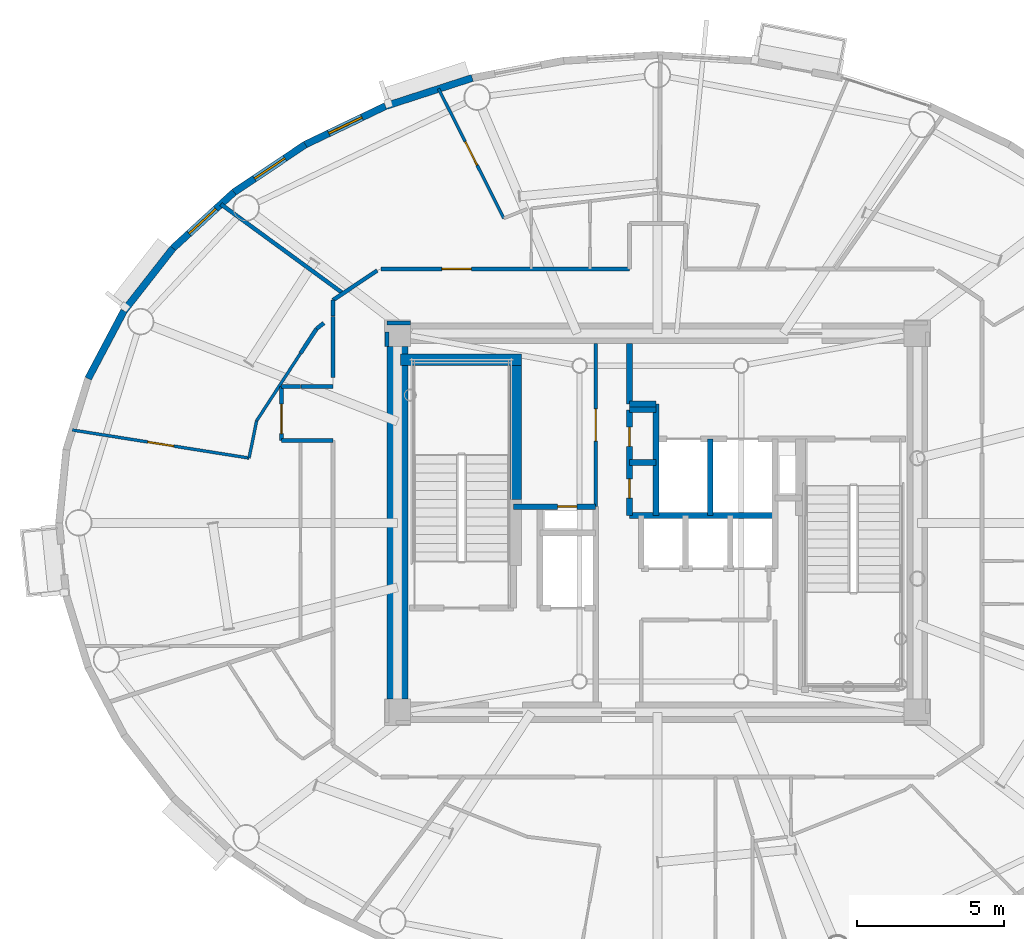
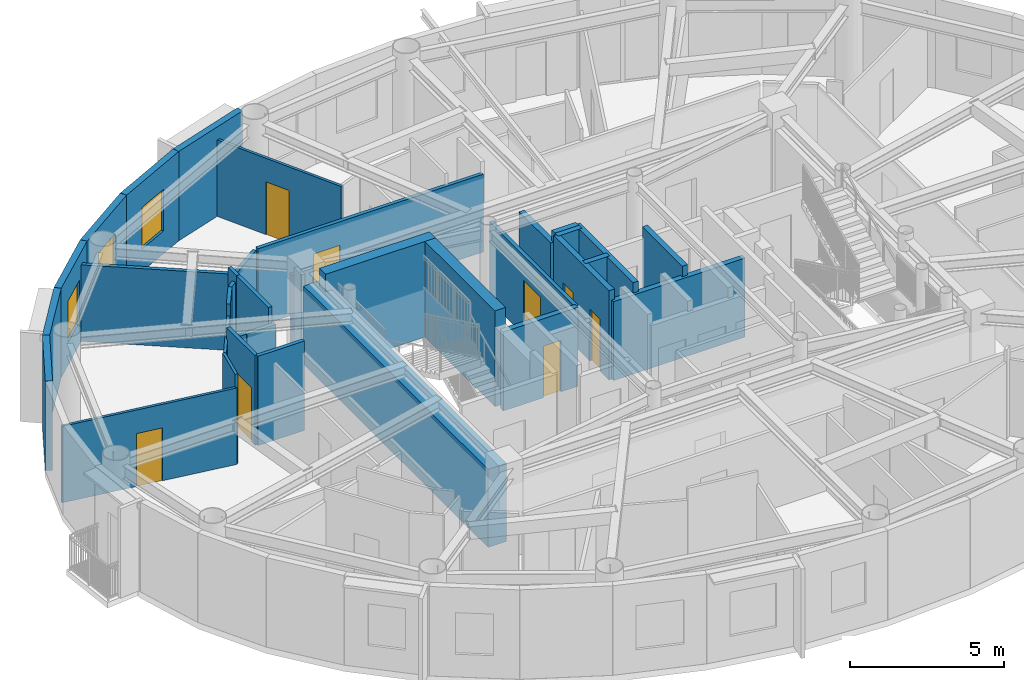
# One storey, part 8 of 17: 36 walls, 8 doors, 3 windows, 11 openings.
"""IFC4 building model written with IfcOpenShell, lengths in metres."""

from ifc_helpers import new_model, si_unit, direction, frame, frame_2d, origin, origin_2d, place, context, subcontext, project, spatial, rectangle, extrude, source, transform, mapped, material, layer, layer_set, type_object, element, fill, save


model = new_model("IFC4")

# Units and contexts
model_context = context("Model", 3, precision=1e-05, world=origin(), true_north=direction((0.0, 1.0)))
body_context = subcontext(model_context, "Body", "Model", "MODEL_VIEW")
ifc_project = project(units=[si_unit("LENGTHUNIT", "METRE"), si_unit("AREAUNIT", "SQUARE_METRE"), si_unit("VOLUMEUNIT", "CUBIC_METRE"), si_unit("PLANEANGLEUNIT", "RADIAN"), si_unit("MASSUNIT", "GRAM", prefix="KILO")], contexts=[model_context])

# Site, building, storey
site_placement = place(None, origin())
site = spatial("IfcSite", under=ifc_project, at=site_placement, CompositionType="ELEMENT")
building_placement = place(site_placement, origin())
building = spatial("IfcBuilding", under=site, at=building_placement, Name="Linh Dai School and Residence Tower", CompositionType="ELEMENT")
storey_placement = place(building_placement, frame((0.0, 0.0, 327.800048828125)))
storey = spatial("IfcBuildingStorey", under=building, at=storey_placement, Name="L81", CompositionType="ELEMENT", Elevation=327.800048828125)

# Wall
ifc_material_1 = material(Name="Precast Concrete B45 (C35/45)", Category="concrete")
ifc_layer_1 = layer(ifc_material_1, 0.239990234375)
ifc_layer_set_1 = layer_set([ifc_layer_1], Name="Precast Concrete B45 (C35/45)")
wall_type_1 = type_object("IfcWallType", Name="EW-TC-240", PredefinedType="SOLIDWALL", material=ifc_layer_set_1)
wall_1_placement = place(storey_placement, frame((26.739501953125, 41.18896484375, 0.0), z_axis=(0.0, 0.0, 1.0), x_axis=(0.951212850731, 0.308535431682, 0.0)))
element("IfcWall", 1, at=wall_1_placement, inside=storey, type_object=wall_type_1, Name="L81 Terracotta Exterior Wall 13", PredefinedType="SOLIDWALL", context=body_context, shape_type="SweptSolid", body=[
    extrude(rectangle(XDim=3.108154296875, YDim=0.239990234375, at=frame_2d((1.55419921875, 0.0))), origin(), (0.0, 0.0, 1.0), 3.550048828125),
])

# Wall, opening, window
wall_2_placement = place(storey_placement, frame((24.01220703125, 39.880126953125, 0.0), z_axis=(0.0, 0.0, 1.0), x_axis=(0.901557057889, 0.432660226241, 0.0)))
wall_2 = element("IfcWall", 2, at=wall_2_placement, inside=storey, type_object=wall_type_1, Name="L81 Terracotta Exterior Wall 14", PredefinedType="SOLIDWALL", context=body_context, shape_type="SweptSolid", body=[
    extrude(rectangle(XDim=3.025146484375, YDim=0.239990234375, at=frame_2d((1.5126953125, 0.0))), origin(), (0.0, 0.0, 1.0), 3.550048828125),
])
opening_1_placement = place(wall_2_placement, frame((0.8876953125, 0.0, 0.89990234375)))
opening_1 = element("IfcOpeningElement", 3, at=opening_1_placement, cuts=wall_2, Name="Opening W3", PredefinedType="OPENING", context=body_context, shape_type="SweptSolid", body=[
    extrude(rectangle(XDim=1.25, YDim=1.64990234375, at=origin_2d()), frame((0.625, 0.1298828125, 0.824951171875), z_axis=(0.0, -1.0, 0.0), x_axis=(1.0, 0.0, 0.0)), (0.0, 0.0, 1.0), 0.260009765625),
])
ifc_material_2 = material(Name="Double Low-E Insulated Glazing", Category="glass")
window_type = type_object("IfcWindowType", Name="WN-RES-1250x1650", PartitioningType="SINGLE_PANEL", PredefinedType="WINDOW", material=ifc_material_2)
shared_shape_1 = source(origin(), body_context, "Body", "SweptSolid", [
    extrude(rectangle(XDim=1.25, YDim=1.64990234375, at=origin_2d()), frame((0.625, 0.030029296875, 0.824951171875), z_axis=(0.0, -1.0, 0.0), x_axis=(1.0, 0.0, 0.0)), (0.0, 0.0, 1.0), 0.06005859375),
])
window_1_placement = place(opening_1_placement, origin())
window_1 = element("IfcWindow", 4, at=window_1_placement, inside=storey, type_object=window_type, Name="L81 Exterior Window 14.1", OverallHeight=1.64990234375, OverallWidth=1.25, PartitioningType="SINGLE_PANEL", PredefinedType="WINDOW", context=body_context, shape_type="MappedRepresentation", body=[
    mapped(shared_shape_1, transform((0.0, 0.0, 0.0), x_axis=(1.0, 0.0, 0.0), y_axis=(0.0, 1.0, 0.0), z_axis=(0.0, 0.0, 1.0), scale=1.0)),
])
fill(opening_1, window_1)

wall_3_placement = place(storey_placement, frame((21.581298828125, 38.254150390625, 0.0), z_axis=(0.0, 0.0, 1.0), x_axis=(0.831201688654, 0.555970999944, 0.0)))
wall_3 = element("IfcWall", 5, at=wall_3_placement, inside=storey, type_object=wall_type_1, Name="L81 Terracotta Exterior Wall 15", PredefinedType="SOLIDWALL", context=body_context, shape_type="SweptSolid", body=[
    extrude(rectangle(XDim=2.924560546875, YDim=0.239990234375, at=frame_2d((1.46240234375, 0.0))), origin(), (0.0, 0.0, 1.0), 3.550048828125),
])
opening_2_placement = place(wall_3_placement, frame((0.83740234375, 0.0, 0.89990234375)))
opening_2 = element("IfcOpeningElement", 6, at=opening_2_placement, cuts=wall_3, Name="Opening W3", PredefinedType="OPENING", context=body_context, shape_type="SweptSolid", body=[
    extrude(rectangle(XDim=1.25, YDim=1.64990234375, at=origin_2d()), frame((0.625, 0.1298828125, 0.824951171875), z_axis=(0.0, -1.0, 0.0), x_axis=(1.0, 0.0, 0.0)), (0.0, 0.0, 1.0), 0.260009765625),
])
window_2_placement = place(opening_2_placement, origin())
window_2 = element("IfcWindow", 7, at=window_2_placement, inside=storey, type_object=window_type, Name="L81 Exterior Window 15.1", OverallHeight=1.64990234375, OverallWidth=1.25, PartitioningType="SINGLE_PANEL", PredefinedType="WINDOW", context=body_context, shape_type="MappedRepresentation", body=[
    mapped(shared_shape_1, transform((0.0, 0.0, 0.0), x_axis=(1.0, 0.0, 0.0), y_axis=(0.0, 1.0, 0.0), z_axis=(0.0, 0.0, 1.0), scale=1.0)),
])
fill(opening_2, window_2)

wall_4_placement = place(storey_placement, frame((19.5068359375, 36.351806640625, 0.0), z_axis=(0.0, 0.0, 1.0), x_axis=(0.737020907932, 0.675869944051, 0.0)))
wall_4 = element("IfcWall", 8, at=wall_4_placement, inside=storey, type_object=wall_type_1, Name="L81 Terracotta Exterior Wall 16", PredefinedType="SOLIDWALL", context=body_context, shape_type="SweptSolid", body=[
    extrude(rectangle(XDim=2.814697265625, YDim=0.239990234375, at=frame_2d((1.4072265625, 0.0))), origin(), (0.0, 0.0, 1.0), 3.550048828125),
])
opening_3_placement = place(wall_4_placement, frame((0.736572265625, 0.0, 0.89990234375)))
opening_3 = element("IfcOpeningElement", 9, at=opening_3_placement, cuts=wall_4, Name="Opening W3", PredefinedType="OPENING", context=body_context, shape_type="SweptSolid", body=[
    extrude(rectangle(XDim=1.25, YDim=1.64990234375, at=origin_2d()), frame((0.625, 0.1298828125, 0.824951171875), z_axis=(0.0, -1.0, 0.0), x_axis=(1.0, 0.0, 0.0)), (0.0, 0.0, 1.0), 0.260009765625),
])
window_3_placement = place(opening_3_placement, origin())
window_3 = element("IfcWindow", 10, at=window_3_placement, inside=storey, type_object=window_type, Name="L81 Dwelling Window U8103-BD1", OverallHeight=1.64990234375, OverallWidth=1.25, PartitioningType="SINGLE_PANEL", PredefinedType="WINDOW", context=body_context, shape_type="MappedRepresentation", body=[
    mapped(shared_shape_1, transform((0.0, 0.0, 0.0), x_axis=(1.0, 0.0, 0.0), y_axis=(0.0, 1.0, 0.0), z_axis=(0.0, 0.0, 1.0), scale=1.0)),
])
fill(opening_3, window_3)

# Walls
wall_5_placement = place(storey_placement, frame((17.839111328125, 34.220703125, 0.0), z_axis=(0.0, 0.0, 1.0), x_axis=(0.616286367698, 0.78752213492, 0.0)))
element("IfcWall", 11, at=wall_5_placement, inside=storey, type_object=wall_type_1, Name="L81 Terracotta Exterior Wall 17", PredefinedType="SOLIDWALL", context=body_context, shape_type="SweptSolid", body=[
    extrude(rectangle(XDim=2.7060546875, YDim=0.239990234375, at=frame_2d((1.35302734375, 0.0))), origin(), (0.0, 0.0, 1.0), 3.550048828125),
])
wall_6_placement = place(storey_placement, frame((16.618896484375, 31.913330078125, 0.0), z_axis=(0.0, 0.0, 1.0), x_axis=(0.467487999989, 0.883999417345, 0.0)))
element("IfcWall", 12, at=wall_6_placement, inside=storey, type_object=wall_type_1, Name="L81 Terracotta Exterior Wall 18", PredefinedType="SOLIDWALL", context=body_context, shape_type="SweptSolid", body=[
    extrude(rectangle(XDim=2.610107421875, YDim=0.239990234375, at=frame_2d((1.30517578125, 0.0))), origin(), (0.0, 0.0, 1.0), 3.550048828125),
])
ifc_material_3 = material(Name="Autoclaved Aerated Concrete Blockwork", Category="masonry")
ifc_layer_2 = layer(ifc_material_3, 0.135009765625)
ifc_layer_set_2 = layer_set([ifc_layer_2], Name="Autoclaved Aerated Concrete Blockwork")
wall_type_2 = type_object("IfcWallType", Name="IW-CORR-135-EI90", PredefinedType="PARTITIONING", material=ifc_layer_set_2)
wall_7_placement = place(storey_placement, frame((21.135009765625, 37.8515625, 0.0), z_axis=(0.0, 0.0, 1.0), x_axis=(0.807673223958, -0.589630361584, 0.0)))
element("IfcWall", 13, at=wall_7_placement, inside=storey, type_object=wall_type_2, Name="L81 Interior Partition Wall 004", PredefinedType="PARTITIONING", context=body_context, shape_type="SweptSolid", body=[
    extrude(rectangle(XDim=5.151611328125, YDim=0.135009765625, at=frame_2d((2.57568359375, 0.0))), origin(), (0.0, 0.0, 1.0), 3.034912109375),
])

# Wall, opening, door
wall_8_placement = place(storey_placement, frame((23.199951171875, 29.800048828125, 0.0), z_axis=(0.0, 0.0, 1.0), x_axis=(0.0, 1.0, 0.0)))
wall_8 = element("IfcWall", 14, at=wall_8_placement, inside=storey, type_object=wall_type_2, Name="L81 Interior Partition Wall 010", PredefinedType="PARTITIONING", context=body_context, shape_type="SweptSolid", body=[
    extrude(rectangle(XDim=1.849853515625, YDim=0.135009765625, at=frame_2d((0.9248046875, 0.0))), origin(), (0.0, 0.0, 1.0), 3.550048828125),
])
opening_4_placement = place(wall_8_placement, frame((0.241943359375, 0.0, 0.0)))
opening_4 = element("IfcOpeningElement", 15, at=opening_4_placement, cuts=wall_8, Name="Opening D03", PredefinedType="OPENING", context=body_context, shape_type="SweptSolid", body=[
    extrude(rectangle(XDim=1.0, YDim=2.14990234375, at=origin_2d()), frame((0.5, 0.07763671875, 1.074951171875), z_axis=(0.0, -1.0, 0.0), x_axis=(1.0, 0.0, 0.0)), (0.0, 0.0, 1.0), 0.155029296875),
])
ifc_material_4 = material(Name="Fire-Rated Solid Timber Entrance Door", Category="wood")
door_type_1 = type_object("IfcDoorType", Name="DR-FLAT-1000x2150-FD60S", OperationType="NOTDEFINED", PredefinedType="DOOR", material=ifc_material_4)
shared_shape_2 = source(origin(), body_context, "Body", "SweptSolid", [
    extrude(rectangle(XDim=1.0, YDim=2.14990234375, at=origin_2d()), frame((0.5, 0.02490234375, 1.074951171875), z_axis=(0.0, -1.0, 0.0), x_axis=(1.0, 0.0, 0.0)), (0.0, 0.0, 1.0), 0.050048828125),
])
door_1_placement = place(opening_4_placement, origin())
door_1 = element("IfcDoor", 16, at=door_1_placement, inside=storey, type_object=door_type_1, Name="L81 U8103 Apartment Entrance Door", OperationType="SINGLE_SWING_LEFT", OverallHeight=2.14990234375, OverallWidth=1.0, PredefinedType="DOOR", context=body_context, shape_type="MappedRepresentation", body=[
    mapped(shared_shape_2, transform((0.0, 0.0, 0.0), x_axis=(1.0, 0.0, 0.0), y_axis=(0.0, 1.0, 0.0), z_axis=(0.0, 0.0, 1.0), scale=1.0)),
])
fill(opening_4, door_1)

# Walls
wall_9_placement = place(storey_placement, frame((23.199951171875, 29.800048828125, 0.0), z_axis=(0.0, 0.0, 1.0), x_axis=(1.0, 0.0, 0.0)))
element("IfcWall", 17, at=wall_9_placement, inside=storey, type_object=wall_type_2, Name="L81 Interior Partition Wall 011", PredefinedType="PARTITIONING", context=body_context, shape_type="SweptSolid", body=[
    extrude(rectangle(XDim=1.75, YDim=0.135009765625, at=frame_2d((0.875, 0.0))), origin(), (0.0, 0.0, 1.0), 3.550048828125),
])
wall_10_placement = place(storey_placement, frame((23.199951171875, 31.64990234375, 0.0), z_axis=(0.0, 0.0, 1.0), x_axis=(1.0, 0.0, 0.0)))
element("IfcWall", 18, at=wall_10_placement, inside=storey, type_object=wall_type_2, Name="L81 Interior Partition Wall 012", PredefinedType="PARTITIONING", context=body_context, shape_type="SweptSolid", body=[
    extrude(rectangle(XDim=0.64599609375, YDim=0.135009765625, at=frame_2d((0.322998046875, 0.0))), origin(), (0.0, 0.0, 1.0), 3.0849609375),
])
wall_11_placement = place(storey_placement, frame((24.949951171875, 34.0439453125, 0.0), z_axis=(0.0, 0.0, 1.0), x_axis=(0.0, 1.0, 0.0)))
element("IfcWall", 19, at=wall_11_placement, inside=storey, type_object=wall_type_2, Name="L81 Interior Partition Wall 018", PredefinedType="PARTITIONING", context=body_context, shape_type="SweptSolid", body=[
    extrude(rectangle(XDim=0.53857421875, YDim=0.135009765625, at=frame_2d((0.269287109375, 0.0))), origin(), (0.0, 0.0, 1.0), 3.550048828125),
])
wall_12_placement = place(storey_placement, frame((24.949951171875, 34.58251953125, 0.0), z_axis=(0.0, 0.0, 1.0), x_axis=(0.831138642659, 0.556065244984, 0.0)))
element("IfcWall", 20, at=wall_12_placement, inside=storey, type_object=wall_type_2, Name="L81 Interior Partition Wall 019", PredefinedType="PARTITIONING", context=body_context, shape_type="SweptSolid", body=[
    extrude(rectangle(XDim=1.81494140625, YDim=0.135009765625, at=frame_2d((0.907470703125, 0.0))), origin(), (0.0, 0.0, 1.0), 3.0849609375),
])

# Wall, opening, door
wall_13_placement = place(storey_placement, frame((26.580078125, 35.64990234375, 0.0), z_axis=(0.0, 0.0, 1.0), x_axis=(1.0, 0.0, 0.0)))
wall_13 = element("IfcWall", 21, at=wall_13_placement, inside=storey, type_object=wall_type_2, Name="L81 Interior Partition Wall 022", PredefinedType="PARTITIONING", context=body_context, shape_type="SweptSolid", body=[
    extrude(rectangle(XDim=8.469970703125, YDim=0.135009765625, at=frame_2d((4.23486328125, 0.0))), origin(), (0.0, 0.0, 1.0), 3.0849609375),
])
opening_5_placement = place(wall_13_placement, frame((2.082275390625, 0.0, 0.0)))
opening_5 = element("IfcOpeningElement", 22, at=opening_5_placement, cuts=wall_13, Name="Opening D03", PredefinedType="OPENING", context=body_context, shape_type="SweptSolid", body=[
    extrude(rectangle(XDim=1.0, YDim=2.14990234375, at=origin_2d()), frame((0.5, 0.07763671875, 1.074951171875), z_axis=(0.0, -1.0, 0.0), x_axis=(1.0, 0.0, 0.0)), (0.0, 0.0, 1.0), 0.155029296875),
])
door_2_placement = place(opening_5_placement, origin())
door_2 = element("IfcDoor", 23, at=door_2_placement, inside=storey, type_object=door_type_1, Name="L81 U8102 Apartment Entrance Door", OperationType="SINGLE_SWING_LEFT", OverallHeight=2.14990234375, OverallWidth=1.0, PredefinedType="DOOR", context=body_context, shape_type="MappedRepresentation", body=[
    mapped(shared_shape_2, transform((0.0, 0.0, 0.0), x_axis=(1.0, 0.0, 0.0), y_axis=(0.0, 1.0, 0.0), z_axis=(0.0, 0.0, 1.0), scale=1.0)),
])
fill(opening_5, door_2)

wall_14_placement = place(storey_placement, frame((33.89990234375, 27.56005859375, 0.0), z_axis=(0.0, 0.0, 1.0), x_axis=(0.0, 1.0, 0.0)))
wall_14 = element("IfcWall", 24, at=wall_14_placement, inside=storey, type_object=wall_type_2, Name="L81 Interior Partition Wall 038", PredefinedType="PARTITIONING", context=body_context, shape_type="SweptSolid", body=[
    extrude(rectangle(XDim=5.5400390625, YDim=0.135009765625, at=frame_2d((2.77001953125, 0.0))), origin(), (0.0, 0.0, 1.0), 3.135009765625),
])
opening_6_placement = place(wall_14_placement, frame((2.219970703125, 0.0, 0.0)))
opening_6 = element("IfcOpeningElement", 25, at=opening_6_placement, cuts=wall_14, Name="Opening D07", PredefinedType="OPENING", context=body_context, shape_type="SweptSolid", body=[
    extrude(rectangle(XDim=1.10009765625, YDim=2.14990234375, at=origin_2d()), frame((0.550048828125, 0.07763671875, 1.074951171875), z_axis=(0.0, -1.0, 0.0), x_axis=(1.0, 0.0, 0.0)), (0.0, 0.0, 1.0), 0.155029296875),
])
ifc_material_5 = material(Name="Fire-Rated Louvred Steel Plant Door", Category="steel")
door_type_2 = type_object("IfcDoorType", Name="DR-PLT-1100x2150-FD60S", OperationType="NOTDEFINED", PredefinedType="DOOR", material=ifc_material_5)
shared_shape_3 = source(origin(), body_context, "Body", "SweptSolid", [
    extrude(rectangle(XDim=1.10009765625, YDim=2.14990234375, at=origin_2d()), frame((0.550048828125, 0.02490234375, 1.074951171875), z_axis=(0.0, -1.0, 0.0), x_axis=(1.0, 0.0, 0.0)), (0.0, 0.0, 1.0), 0.050048828125),
])
door_3_placement = place(opening_6_placement, origin())
door_3 = element("IfcDoor", 26, at=door_3_placement, inside=storey, type_object=door_type_2, Name="L81 High-Zone Housekeeping Suite Door", OperationType="SINGLE_SWING_RIGHT", OverallHeight=2.14990234375, OverallWidth=1.10009765625, PredefinedType="DOOR", context=body_context, shape_type="MappedRepresentation", body=[
    mapped(shared_shape_3, transform((0.0, 0.0, 0.0), x_axis=(1.0, 0.0, 0.0), y_axis=(0.0, 1.0, 0.0), z_axis=(0.0, 0.0, 1.0), scale=1.0)),
])
fill(opening_6, door_3)

# Walls
wall_15_placement = place(storey_placement, frame((23.85595703125, 31.64990234375, 0.0), z_axis=(0.0, 0.0, 1.0), x_axis=(1.0, 0.0, 0.0)))
element("IfcWall", 27, at=wall_15_placement, inside=storey, type_object=wall_type_2, Name="L81 Interior Partition Wall 092", PredefinedType="PARTITIONING", context=body_context, shape_type="SweptSolid", body=[
    extrude(rectangle(XDim=1.093994140625, YDim=0.135009765625, at=frame_2d((0.546875, 0.0))), origin(), (0.0, 0.0, 1.0), 3.0849609375),
])
wall_16_placement = place(storey_placement, frame((24.949951171875, 31.95751953125, 0.0), z_axis=(0.0, 0.0, 1.0), x_axis=(0.0, 1.0, 0.0)))
element("IfcWall", 28, at=wall_16_placement, inside=storey, type_object=wall_type_2, Name="L81 Interior Partition Wall 093", PredefinedType="PARTITIONING", context=body_context, shape_type="SweptSolid", body=[
    extrude(rectangle(XDim=2.076416015625, YDim=0.135009765625, at=frame_2d((1.0380859375, 0.0))), origin(), (0.0, 0.0, 1.0), 3.550048828125),
])
wall_17_placement = place(storey_placement, frame((27.590087890625, 33.800048828125, 0.0), z_axis=(0.0, 0.0, 1.0), x_axis=(-1.0, 0.0, 0.0)))
element("IfcWall", 29, at=wall_17_placement, inside=storey, type_object=wall_type_2, Name="L81 Interior Partition Wall 095", PredefinedType="PARTITIONING", context=body_context, shape_type="SweptSolid", body=[
    extrude(rectangle(XDim=0.7900390625, YDim=0.135009765625, at=frame_2d((0.39501953125, 0.0))), origin(), (0.0, 0.0, 1.0), 3.0849609375),
])
wall_18_placement = place(storey_placement, frame((26.800048828125, 33.492431640625, 0.0), z_axis=(0.0, 0.0, 1.0), x_axis=(0.0, -1.0, 0.0)))
element("IfcWall", 30, at=wall_18_placement, inside=storey, type_object=wall_type_2, Name="L81 Interior Partition Wall 096", PredefinedType="PARTITIONING", context=body_context, shape_type="SweptSolid", body=[
    extrude(rectangle(XDim=0.482421875, YDim=0.135009765625, at=frame_2d((0.2412109375, 0.0))), origin(), (0.0, 0.0, 1.0), 3.550048828125),
])
wall_19_placement = place(storey_placement, frame((24.642578125, 33.802978515625, 0.0), z_axis=(0.0, 0.0, 1.0), x_axis=(-0.787376183758, -0.616472826043, 0.0)))
element("IfcWall", 31, at=wall_19_placement, inside=storey, type_object=wall_type_2, Name="L81 Interior Partition Wall 102", PredefinedType="PARTITIONING", context=body_context, shape_type="SweptSolid", body=[
    extrude(rectangle(XDim=0.320068359375, YDim=0.135009765625, at=frame_2d((0.16015625, 0.0))), origin(), (0.0, 0.0, 1.0), 3.550048828125),
])
wall_20_placement = place(storey_placement, frame((24.390625, 33.605712890625, 0.0), z_axis=(0.0, 0.0, 1.0), x_axis=(-0.545318185568, -0.838229131258, 0.0)))
element("IfcWall", 32, at=wall_20_placement, inside=storey, type_object=wall_type_2, Name="L81 Interior Partition Wall 103", PredefinedType="PARTITIONING", context=body_context, shape_type="SweptSolid", body=[
    extrude(rectangle(XDim=0.988525390625, YDim=0.135009765625, at=frame_2d((0.494140625, 0.0))), origin(), (0.0, 0.0, 1.0), 3.550048828125),
])

# Wall, opening, door
ifc_material_6 = material(Name="Concrete B45 (C35/45)", Category="concrete")
ifc_layer_3 = layer(ifc_material_6, 0.199951171875)
ifc_layer_set_3 = layer_set([ifc_layer_3], Name="Concrete B45 (C35/45)")
wall_type_3 = type_object("IfcWallType", Name="IW-SHAFT-200-EI120", PredefinedType="PARTITIONING", material=ifc_layer_set_3)
wall_21_placement = place(storey_placement, frame((31.10009765625, 27.550048828125, 0.0), z_axis=(0.0, 0.0, 1.0), x_axis=(1.0, 0.0, 0.0)))
wall_21 = element("IfcWall", 33, at=wall_21_placement, inside=storey, type_object=wall_type_3, Name="L81 Interior Partition Wall 028", PredefinedType="PARTITIONING", context=body_context, shape_type="SweptSolid", body=[
    extrude(rectangle(XDim=2.7998046875, YDim=0.199951171875, at=frame_2d((1.39990234375, 0.0))), origin(), (0.0, 0.0, 1.0), 3.135009765625),
])
opening_7_placement = place(wall_21_placement, frame((1.5, 0.0, 0.0)))
opening_7 = element("IfcOpeningElement", 34, at=opening_7_placement, cuts=wall_21, Name="Opening AD1", PredefinedType="OPENING", context=body_context, shape_type="SweptSolid", body=[
    extrude(rectangle(XDim=0.659912109375, YDim=2.050048828125, at=origin_2d()), frame((0.330078125, 0.10986328125, 1.02490234375), z_axis=(0.0, -1.0, 0.0), x_axis=(1.0, 0.0, 0.0)), (0.0, 0.0, 1.0), 0.219970703125),
])
ifc_material_7 = material(Name="Fire-Rated Steel Riser Access Door", Category="steel")
door_type_3 = type_object("IfcDoorType", Name="DR-ACC-660x2050-FD90S", OperationType="NOTDEFINED", PredefinedType="USERDEFINED", material=ifc_material_7)
shared_shape_4 = source(origin(), body_context, "Body", "SweptSolid", [
    extrude(rectangle(XDim=0.659912109375, YDim=2.050048828125, at=origin_2d()), frame((0.330078125, 0.02490234375, 1.02490234375), z_axis=(0.0, -1.0, 0.0), x_axis=(1.0, 0.0, 0.0)), (0.0, 0.0, 1.0), 0.050048828125),
])
door_4_placement = place(opening_7_placement, origin())
door_4 = element("IfcDoor", 35, at=door_4_placement, inside=storey, type_object=door_type_3, Name="L81 Main Electrical Riser Access Door", ObjectType="ACCESS DOOR", OperationType="SINGLE_SWING_RIGHT", OverallHeight=2.050048828125, OverallWidth=0.659912109375, PredefinedType="USERDEFINED", context=body_context, shape_type="MappedRepresentation", body=[
    mapped(shared_shape_4, transform((0.0, 0.0, 0.0), x_axis=(1.0, 0.0, 0.0), y_axis=(0.0, 1.0, 0.0), z_axis=(0.0, 0.0, 1.0), scale=1.0)),
])
fill(opening_7, door_4)

# Wall, openings, doors
wall_22_placement = place(storey_placement, frame((35.050048828125, 27.25, 0.0), z_axis=(0.0, 0.0, 1.0), x_axis=(0.0, 1.0, 0.0)))
wall_22 = element("IfcWall", 36, at=wall_22_placement, inside=storey, type_object=wall_type_3, Name="L81 Interior Partition Wall 039", PredefinedType="PARTITIONING", context=body_context, shape_type="SweptSolid", body=[
    extrude(rectangle(XDim=3.60009765625, YDim=0.199951171875, at=frame_2d((1.800048828125, 0.0))), origin(), (0.0, 0.0, 1.0), 3.550048828125),
])
opening_8_placement = place(wall_22_placement, frame((0.590087890625, 0.0, 0.0)))
opening_8 = element("IfcOpeningElement", 37, at=opening_8_placement, cuts=wall_22, Name="Opening AD1", PredefinedType="OPENING", context=body_context, shape_type="SweptSolid", body=[
    extrude(rectangle(XDim=0.659912109375, YDim=2.050048828125, at=origin_2d()), frame((0.330078125, 0.10986328125, 1.02490234375), z_axis=(0.0, -1.0, 0.0), x_axis=(1.0, 0.0, 0.0)), (0.0, 0.0, 1.0), 0.219970703125),
])
opening_9_placement = place(wall_22_placement, frame((2.35009765625, 0.0, 0.0)))
opening_9 = element("IfcOpeningElement", 38, at=opening_9_placement, cuts=wall_22, Name="Opening AD1", PredefinedType="OPENING", context=body_context, shape_type="SweptSolid", body=[
    extrude(rectangle(XDim=0.659912109375, YDim=2.050048828125, at=origin_2d()), frame((0.330078125, 0.10986328125, 1.02490234375), z_axis=(0.0, -1.0, 0.0), x_axis=(1.0, 0.0, 0.0)), (0.0, 0.0, 1.0), 0.219970703125),
])
door_5_placement = place(opening_8_placement, origin())
door_5 = element("IfcDoor", 39, at=door_5_placement, inside=storey, type_object=door_type_3, Name="L81 Telecom and Data Riser Access Door", ObjectType="ACCESS DOOR", OperationType="SINGLE_SWING_LEFT", OverallHeight=2.050048828125, OverallWidth=0.659912109375, PredefinedType="USERDEFINED", context=body_context, shape_type="MappedRepresentation", body=[
    mapped(shared_shape_4, transform((0.0, 0.0, 0.0), x_axis=(1.0, 0.0, 0.0), y_axis=(0.0, 1.0, 0.0), z_axis=(0.0, 0.0, 1.0), scale=1.0)),
])
fill(opening_8, door_5)
door_6_placement = place(opening_9_placement, origin())
door_6 = element("IfcDoor", 40, at=door_6_placement, inside=storey, type_object=door_type_3, Name="L81 Mechanical and Plumbing Riser Access Door", ObjectType="ACCESS DOOR", OperationType="SINGLE_SWING_RIGHT", OverallHeight=2.050048828125, OverallWidth=0.659912109375, PredefinedType="USERDEFINED", context=body_context, shape_type="MappedRepresentation", body=[
    mapped(shared_shape_4, transform((0.0, 0.0, 0.0), x_axis=(1.0, 0.0, 0.0), y_axis=(0.0, 1.0, 0.0), z_axis=(0.0, 0.0, 1.0), scale=1.0)),
])
fill(opening_9, door_6)

# Walls
wall_23_placement = place(storey_placement, frame((35.050048828125, 27.25, 0.0), z_axis=(0.0, 0.0, 1.0), x_axis=(1.0, 0.0, 0.0)))
element("IfcWall", 41, at=wall_23_placement, inside=storey, type_object=wall_type_3, Name="L81 Interior Partition Wall 040", PredefinedType="PARTITIONING", context=body_context, shape_type="SweptSolid", body=[
    extrude(rectangle(XDim=4.949951171875, YDim=0.199951171875, at=frame_2d((2.47509765625, 0.0))), origin(), (0.0, 0.0, 1.0), 3.135009765625),
])
for number, where, z_axis, x_axis, name in (
    (42, (35.050048828125, 29.050048828125, 0.0), (0.0, 0.0, 1.0), (1.0, 0.0, 0.0), "L81 Interior Partition Wall 041"),
    (43, (35.050048828125, 30.85009765625, 0.0), (0.0, 0.0, 1.0), (1.0, 0.0, 0.0), "L81 Interior Partition Wall 042"),
):
    element("IfcWall", number, at=place(storey_placement, frame(where, z_axis=z_axis, x_axis=x_axis)), inside=storey, type_object=wall_type_3, Name=name, PredefinedType="PARTITIONING", context=body_context, shape_type="SweptSolid", body=[
        extrude(rectangle(XDim=0.89990234375, YDim=0.199951171875, at=frame_2d((0.449951171875, 0.0))), origin(), (0.0, 0.0, 1.0), 3.550048828125),
    ])
wall_24_placement = place(storey_placement, frame((35.050048828125, 31.050048828125, 0.0), z_axis=(0.0, 0.0, 1.0), x_axis=(0.0, 1.0, 0.0)))
element("IfcWall", 44, at=wall_24_placement, inside=storey, type_object=wall_type_3, Name="L81 Interior Partition Wall 043", PredefinedType="PARTITIONING", context=body_context, shape_type="SweptSolid", body=[
    extrude(rectangle(XDim=2.050048828125, YDim=0.199951171875, at=frame_2d((1.02490234375, 0.0))), origin(), (0.0, 0.0, 1.0), 3.135009765625),
])
wall_25_placement = place(storey_placement, frame((35.050048828125, 31.050048828125, 0.0), z_axis=(0.0, 0.0, 1.0), x_axis=(1.0, 0.0, 0.0)))
element("IfcWall", 45, at=wall_25_placement, inside=storey, type_object=wall_type_3, Name="L81 Interior Partition Wall 044", PredefinedType="PARTITIONING", context=body_context, shape_type="SweptSolid", body=[
    extrude(rectangle(XDim=0.89990234375, YDim=0.199951171875, at=frame_2d((0.449951171875, 0.0))), origin(), (0.0, 0.0, 1.0), 3.550048828125),
])
wall_26_placement = place(storey_placement, frame((35.949951171875, 27.25, 0.0), z_axis=(0.0, 0.0, 1.0), x_axis=(0.0, 1.0, 0.0)))
element("IfcWall", 46, at=wall_26_placement, inside=storey, type_object=wall_type_3, Name="L81 Interior Partition Wall 051", PredefinedType="PARTITIONING", context=body_context, shape_type="SweptSolid", body=[
    extrude(rectangle(XDim=3.800048828125, YDim=0.199951171875, at=frame_2d((1.89990234375, 0.0))), origin(), (0.0, 0.0, 1.0), 3.550048828125),
])
wall_27_placement = place(storey_placement, frame((37.800048828125, 27.25, 0.0), z_axis=(0.0, 0.0, 1.0), x_axis=(0.0, 1.0, 0.0)))
element("IfcWall", 47, at=wall_27_placement, inside=storey, type_object=wall_type_3, Name="L81 Interior Partition Wall 058", PredefinedType="PARTITIONING", context=body_context, shape_type="SweptSolid", body=[
    extrude(rectangle(XDim=2.60009765625, YDim=0.199951171875, at=frame_2d((1.300048828125, 0.0))), origin(), (0.0, 0.0, 1.0), 3.550048828125),
])

# Wall, opening, door
ifc_material_8 = material(Name="Gypsum Plasterboard Acoustic Stud Partition", Category="masonry")
ifc_layer_4 = layer(ifc_material_8, 0.10009765625)
ifc_layer_set_4 = layer_set([ifc_layer_4], Name="Gypsum Plasterboard Acoustic Stud Partition")
wall_type_4 = type_object("IfcWallType", Name="IW-UNIT-100", PredefinedType="PARTITIONING", material=ifc_layer_set_4)
wall_28_placement = place(storey_placement, frame((16.07666015625, 30.16162109375, 0.0), z_axis=(0.0, 0.0, 1.0), x_axis=(0.987639564331, -0.156742116127, 0.0)))
wall_28 = element("IfcWall", 48, at=wall_28_placement, inside=storey, type_object=wall_type_4, Name="L81 Interior Partition Wall 001", PredefinedType="PARTITIONING", context=body_context, shape_type="SweptSolid", body=[
    extrude(rectangle(XDim=6.094970703125, YDim=0.10009765625, at=frame_2d((3.04736328125, 0.0))), origin(), (0.0, 0.0, 1.0), 3.034912109375),
])
opening_10_placement = place(wall_28_placement, frame((2.597412109375, 0.0, 0.0)))
opening_10 = element("IfcOpeningElement", 49, at=opening_10_placement, cuts=wall_28, Name="Opening D05", PredefinedType="OPENING", context=body_context, shape_type="SweptSolid", body=[
    extrude(rectangle(XDim=0.89990234375, YDim=2.10009765625, at=origin_2d()), frame((0.449951171875, 0.06005859375, 1.050048828125), z_axis=(0.0, -1.0, 0.0), x_axis=(1.0, 0.0, 0.0)), (0.0, 0.0, 1.0), 0.1201171875),
])
ifc_material_9 = material(Name="Engineered Timber Internal Door", Category="wood")
door_type_4 = type_object("IfcDoorType", Name="DR-INT-900x2100", OperationType="NOTDEFINED", PredefinedType="DOOR", material=ifc_material_9)
shared_shape_5 = source(origin(), body_context, "Body", "SweptSolid", [
    extrude(rectangle(XDim=0.89990234375, YDim=2.10009765625, at=origin_2d()), frame((0.449951171875, 0.02490234375, 1.050048828125), z_axis=(0.0, -1.0, 0.0), x_axis=(1.0, 0.0, 0.0)), (0.0, 0.0, 1.0), 0.050048828125),
])
door_7_placement = place(opening_10_placement, origin())
door_7 = element("IfcDoor", 50, at=door_7_placement, inside=storey, type_object=door_type_4, Name="L81 Apartment U8103 Principal Bedroom 1 Door", OperationType="SINGLE_SWING_RIGHT", OverallHeight=2.10009765625, OverallWidth=0.89990234375, PredefinedType="DOOR", context=body_context, shape_type="MappedRepresentation", body=[
    mapped(shared_shape_5, transform((0.0, 0.0, 0.0), x_axis=(1.0, 0.0, 0.0), y_axis=(0.0, 1.0, 0.0), z_axis=(0.0, 0.0, 1.0), scale=1.0)),
])
fill(opening_10, door_7)

# Walls
wall_29_placement = place(storey_placement, frame((22.09619140625, 29.206298828125, 0.0), z_axis=(0.0, 0.0, 1.0), x_axis=(0.198186651624, 0.980164298023, 0.0)))
element("IfcWall", 51, at=wall_29_placement, inside=storey, type_object=wall_type_4, Name="L81 Interior Partition Wall 006", PredefinedType="PARTITIONING", context=body_context, shape_type="SweptSolid", body=[
    extrude(rectangle(XDim=1.292236328125, YDim=0.10009765625, at=frame_2d((0.64599609375, 0.0))), origin(), (0.0, 0.0, 1.0), 3.550048828125),
])
wall_30_placement = place(storey_placement, frame((22.352294921875, 30.472900390625, 0.0), z_axis=(0.0, 0.0, 1.0), x_axis=(0.545326673802, 0.838223609093, 0.0)))
element("IfcWall", 52, at=wall_30_placement, inside=storey, type_object=wall_type_4, Name="L81 Interior Partition Wall 007", PredefinedType="PARTITIONING", context=body_context, shape_type="SweptSolid", body=[
    extrude(rectangle(XDim=2.739013671875, YDim=0.10009765625, at=frame_2d((1.36962890625, 0.0))), origin(), (0.0, 0.0, 1.0), 3.0849609375),
])

# Wall, opening, door
wall_31_placement = place(storey_placement, frame((28.547607421875, 41.78076171875, 0.0), z_axis=(0.0, 0.0, 1.0), x_axis=(0.450197256642, -0.892929129389, 0.0)))
wall_31 = element("IfcWall", 53, at=wall_31_placement, inside=storey, type_object=wall_type_4, Name="L81 Interior Partition Wall 024", PredefinedType="PARTITIONING", context=body_context, shape_type="SweptSolid", body=[
    extrude(rectangle(XDim=4.938232421875, YDim=0.10009765625, at=frame_2d((2.46923828125, 0.0))), origin(), (0.0, 0.0, 1.0), 3.034912109375),
])
opening_11_placement = place(wall_31_placement, frame((2.01904296875, 0.0, 0.0)))
opening_11 = element("IfcOpeningElement", 54, at=opening_11_placement, cuts=wall_31, Name="Opening D05", PredefinedType="OPENING", context=body_context, shape_type="SweptSolid", body=[
    extrude(rectangle(XDim=0.89990234375, YDim=2.10009765625, at=origin_2d()), frame((0.449951171875, 0.06005859375, 1.050048828125), z_axis=(0.0, -1.0, 0.0), x_axis=(1.0, 0.0, 0.0)), (0.0, 0.0, 1.0), 0.1201171875),
])
door_8_placement = place(opening_11_placement, origin())
door_8 = element("IfcDoor", 55, at=door_8_placement, inside=storey, type_object=door_type_4, Name="L81 Apartment U8102 Bedroom 1 Door", OperationType="SINGLE_SWING_RIGHT", OverallHeight=2.10009765625, OverallWidth=0.89990234375, PredefinedType="DOOR", context=body_context, shape_type="MappedRepresentation", body=[
    mapped(shared_shape_5, transform((0.0, 0.0, 0.0), x_axis=(1.0, 0.0, 0.0), y_axis=(0.0, 1.0, 0.0), z_axis=(0.0, 0.0, 1.0), scale=1.0)),
])
fill(opening_11, door_8)

# Walls
ifc_layer_5 = layer(ifc_material_6, 0.39990234375)
ifc_layer_set_5 = layer_set([ifc_layer_5], Name="Concrete B45 (C35/45)")
wall_type_5 = type_object("IfcWallType", Name="WL-CORE400", PredefinedType="SHEAR", material=ifc_layer_set_5)
wall_32_placement = place(storey_placement, frame((31.179931640625, 27.800048828125, 0.0), z_axis=(0.0, 0.0, 1.0), x_axis=(0.0, 1.0, 0.0)))
element("IfcWall", 56, at=wall_32_placement, inside=storey, type_object=wall_type_5, Name="L81 Core Stair ST1 Bearing Wall E", PredefinedType="SHEAR", context=body_context, shape_type="SweptSolid", body=[
    extrude(rectangle(XDim=4.75, YDim=0.39990234375, at=frame_2d((2.375, 0.0))), origin(), (0.0, 0.0, 1.0), 3.800048828125),
])
wall_33_placement = place(storey_placement, frame((27.25, 32.550048828125, 0.0), z_axis=(0.0, 0.0, 1.0), x_axis=(1.0, 0.0, 0.0)))
element("IfcWall", 57, at=wall_33_placement, inside=storey, type_object=wall_type_5, Name="L81 Core Stair ST1 Bearing Wall N", PredefinedType="SHEAR", context=body_context, shape_type="SweptSolid", body=[
    extrude(rectangle(XDim=4.1298828125, YDim=0.39990234375, at=frame_2d((2.06494140625, 0.0))), origin(), (0.0, 0.0, 1.0), 3.800048828125),
])
ifc_layer_6 = layer(ifc_material_6, 0.699951171875)
ifc_layer_set_6 = layer_set([ifc_layer_6], Name="Concrete B45 (C35/45)")
wall_type_6 = type_object("IfcWallType", Name="WL-CORE700", PredefinedType="SHEAR", material=ifc_layer_set_6)
wall_34_placement = place(storey_placement, frame((27.14990234375, 21.0, 0.0), z_axis=(0.0, 0.0, 1.0), x_axis=(0.0, 1.0, 0.0)))
element("IfcWall", 58, at=wall_34_placement, inside=storey, type_object=wall_type_6, Name="L81 Central Core Shear Wall W", PredefinedType="SHEAR", context=body_context, shape_type="SweptSolid", body=[
    extrude(rectangle(XDim=12.0, YDim=0.699951171875, at=frame_2d((6.0, 0.0))), origin(), (0.0, 0.0, 1.0), 3.099853515625),
])

save(model, "model.ifc")
